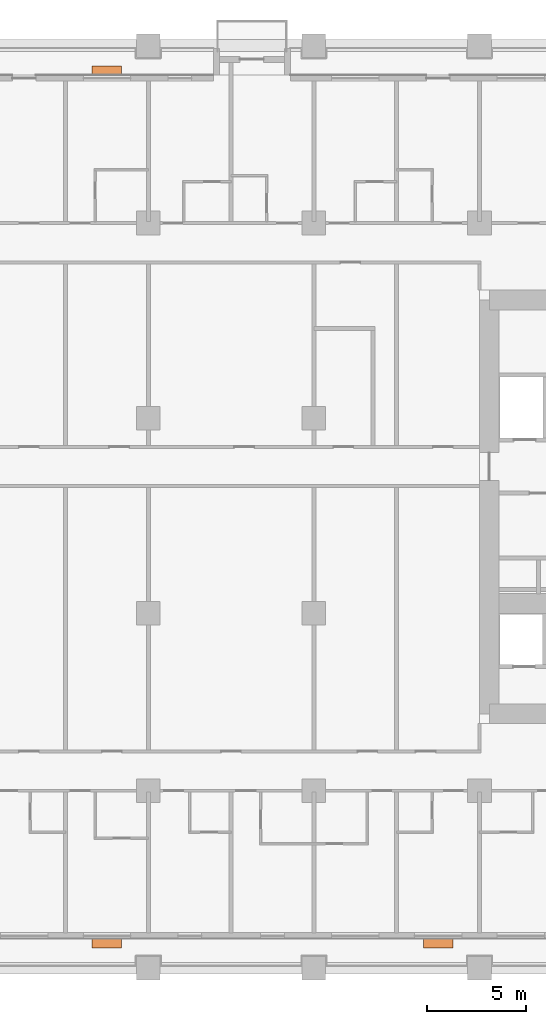
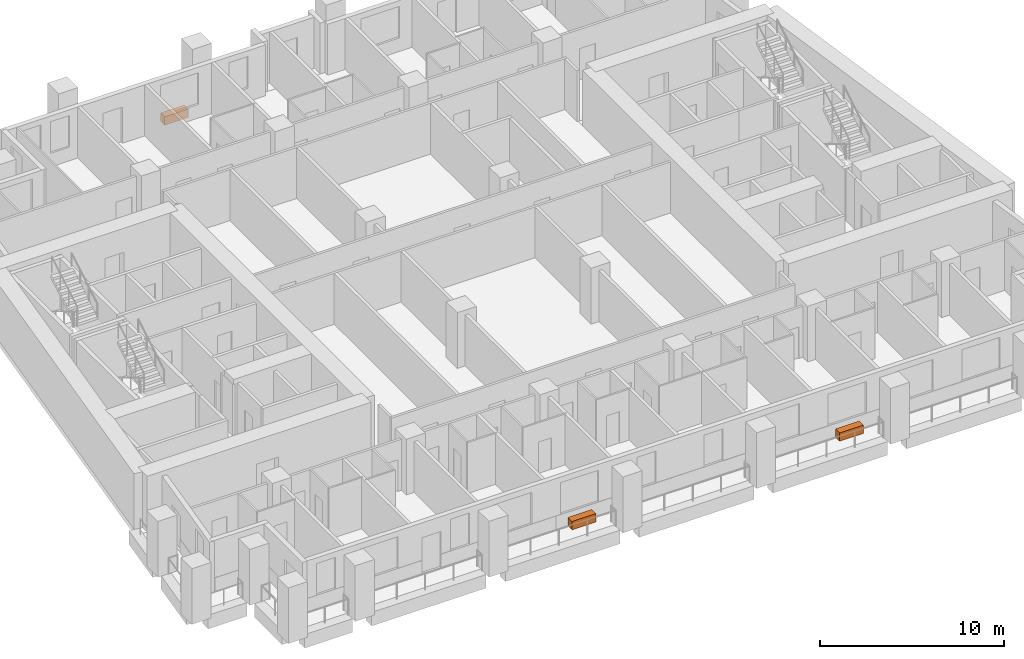
# One storey, part 14 of 14: 3 proxies.
"""IFC4 building model written with IfcOpenShell, lengths in metres."""

from ifc_helpers import new_model, si_unit, direction, frame, origin, origin_2d, place, context, subcontext, project, spatial, rectangle, extrude, element, save


model = new_model("IFC4")

# Units and contexts
model_context = context("Model", 3, precision=1e-05, world=origin(), true_north=direction((0.0, 1.0)))
body_context = subcontext(model_context, "Body", "Model", "MODEL_VIEW")
ifc_project = project(units=[si_unit("LENGTHUNIT", "METRE"), si_unit("AREAUNIT", "SQUARE_METRE"), si_unit("VOLUMEUNIT", "CUBIC_METRE"), si_unit("PLANEANGLEUNIT", "RADIAN"), si_unit("MASSUNIT", "GRAM", prefix="KILO")], contexts=[model_context])

# Site, building, storey
site_placement = place(None, origin())
site = spatial("IfcSite", under=ifc_project, at=site_placement, CompositionType="ELEMENT")
building_placement = place(site_placement, origin())
building = spatial("IfcBuilding", under=site, at=building_placement, Name="Candeia Pilgrim Tower and Theatre", CompositionType="ELEMENT")
storey_placement = place(building_placement, frame((0.0, 0.0, 116.89990234375)))
storey = spatial("IfcBuildingStorey", under=building, at=storey_placement, Name="L27", CompositionType="ELEMENT", Elevation=116.89990234375)

# Proxies
for number, where, z_axis, x_axis, name in (
    (1, (107.10009765625, 99.2548828125, 0.0), (0.0, 0.0, 1.0), (1.0, 0.0, 0.0), "Planter"),
    (2, (123.89990234375, 99.2548828125, 0.0), (0.0, 0.0, 1.0), (1.0, 0.0, 0.0), "Planter"),
    (3, (107.10009765625, 143.544921875, 0.0), (0.0, 0.0, 1.0), (-1.0, 0.0, 0.0), "Planter"),
):
    element("IfcBuildingElementProxy", number, at=place(storey_placement, frame(where, z_axis=z_axis, x_axis=x_axis)), inside=storey, Name=name, ObjectType="PLANTER", PredefinedType="USERDEFINED", context=body_context, shape_type="SweptSolid", body=[
        extrude(rectangle(XDim=1.5, YDim=0.449951171875, at=origin_2d()), origin(), (0.0, 0.0, 1.0), 0.550048828125),
    ])

save(model, "model.ifc")
